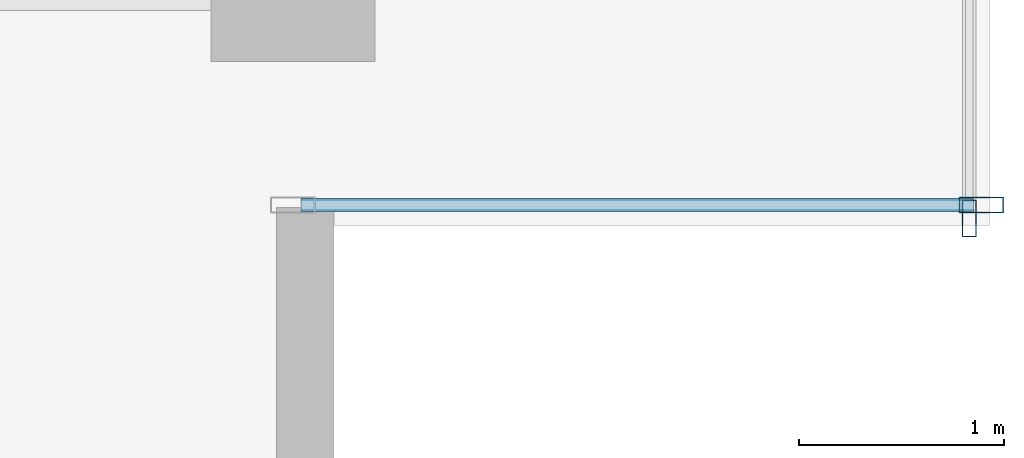
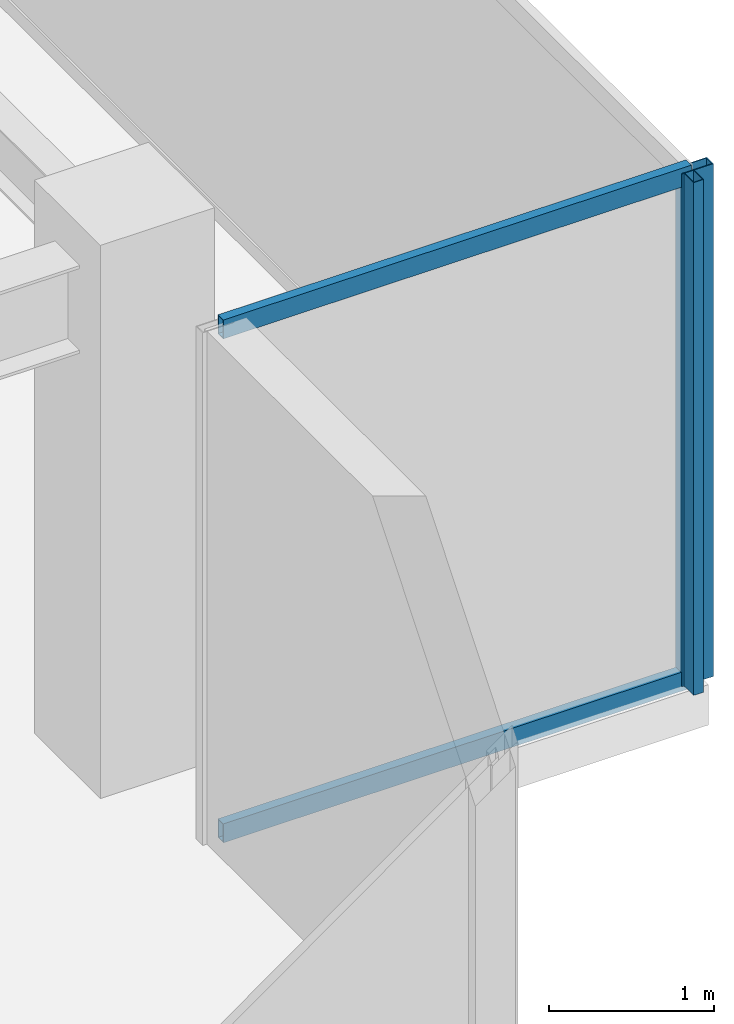
# One storey, part 22 of 33: 4 members, 2 elements without a shape of their own.
"""IFC4 building model written with IfcOpenShell, lengths in metres."""

from ifc_helpers import new_model, si_unit, direction, frame, origin, origin_2d, place, context, subcontext, project, spatial, hollow_rectangle, extrude, source, transform, mapped, material, layer, layer_set, material_profile, profile_set, type_object, type_shapes, element, aggregate, save


model = new_model("IFC4")

# Units and contexts
model_context = context("Model", 3, precision=1e-05, world=origin(), true_north=direction((0.0, 1.0)))
body_context = subcontext(model_context, "Body", "Model", "MODEL_VIEW")
ifc_project = project(units=[si_unit("LENGTHUNIT", "METRE"), si_unit("AREAUNIT", "SQUARE_METRE"), si_unit("VOLUMEUNIT", "CUBIC_METRE"), si_unit("PLANEANGLEUNIT", "RADIAN"), si_unit("MASSUNIT", "GRAM", prefix="KILO")], contexts=[model_context])

# Site, building, storey
site_placement = place(None, origin())
site = spatial("IfcSite", under=ifc_project, at=site_placement, CompositionType="ELEMENT")
building_placement = place(site_placement, origin())
building = spatial("IfcBuilding", under=site, at=building_placement, Name="Haelvirn Gate Laboratories", CompositionType="ELEMENT")
storey_placement = place(building_placement, frame((0.0, 0.0, 238.300048828125)))
storey = spatial("IfcBuildingStorey", under=building, at=storey_placement, Name="L57", CompositionType="ELEMENT", Elevation=238.300048828125)

# Curtain wall, members
ifc_material_1 = material(Name="Anodised bronze unitised aluminium & triple low-E glass", Category="aluminium")
ifc_layer_1 = layer(ifc_material_1, 0.181884765625, Name="CW-SYS-5")
ifc_layer_set_1 = layer_set([ifc_layer_1], Name="Anodised bronze unitised aluminium & triple low-E glass")
curtain_wall_type_1 = type_object("IfcCurtainWallType", Name="CW-SYS-5", PredefinedType="NOTDEFINED", material=ifc_layer_set_1)
curtain_wall_1_placement = place(storey_placement, origin())
curtain_wall_1 = element("IfcCurtainWall", 1, at=curtain_wall_1_placement, inside=storey, type_object=curtain_wall_type_1, Name="L57 Unitised Curtain Wall CW-L57-P0-E06-1", PredefinedType="NOTDEFINED")
ifc_material_2 = material(Name="Extruded aluminium 6063-T6 (anodised bronze)", Category="aluminium")
ifc_material_profile_1 = material_profile(ifc_material_2, hollow_rectangle(XDim=0.06494140625, YDim=0.139892578125, WallThickness=0.00390625, at=origin_2d()), Name="CWT-140x65x4")
ifc_profile_set_1 = profile_set([ifc_material_profile_1], Name="Extruded aluminium 6063-T6 (anodised bronze)")
member_type_1 = type_object("IfcMemberType", Name="CWT-T140", PredefinedType="USERDEFINED", material=ifc_profile_set_1)
shared_shape_1 = source(origin(), body_context, "Body", "SweptSolid", [
    extrude(hollow_rectangle(XDim=0.06494140625, YDim=0.139892578125, WallThickness=0.00390625, at=origin_2d()), origin(), (0.0, 0.0, 1.0), 3.280029296875),
])
type_shapes(member_type_1, [shared_shape_1])
member_1_placement = place(storey_placement, frame((67.43994140625, 5.89990234375, 0.032470703125), z_axis=(1.0, 0.0, 0.0), x_axis=(0.0, 1.0, 0.0)))
member_1 = element("IfcMember", 2, at=member_1_placement, type_object=member_type_1, Name="CW5 transom 1.1", ObjectType="TRANSOM", PredefinedType="USERDEFINED", context=body_context, shape_type="MappedRepresentation", body=[
    mapped(shared_shape_1, transform((0.0, 0.0, 0.0), scale=1.0)),
])
member_2_placement = place(storey_placement, frame((67.43994140625, 5.89990234375, 3.767333984375), z_axis=(1.0, 0.0, 0.0), x_axis=(0.0, 1.0, 0.0)))
member_2 = element("IfcMember", 3, at=member_2_placement, type_object=member_type_1, Name="CW5 transom 1.2", ObjectType="TRANSOM", PredefinedType="USERDEFINED", context=body_context, shape_type="MappedRepresentation", body=[
    mapped(shared_shape_1, transform((0.0, 0.0, 0.0), scale=1.0)),
])

# Curtain wall, member
ifc_layer_2 = layer(ifc_material_1, 0.176025390625, Name="CW-SYS-4")
ifc_layer_set_2 = layer_set([ifc_layer_2], Name="Anodised bronze unitised aluminium & triple low-E glass")
curtain_wall_type_2 = type_object("IfcCurtainWallType", Name="CW-SYS-4", PredefinedType="NOTDEFINED", material=ifc_layer_set_2)
curtain_wall_2_placement = place(storey_placement, origin())
curtain_wall_2 = element("IfcCurtainWall", 4, at=curtain_wall_2_placement, inside=storey, type_object=curtain_wall_type_2, Name="L57 Unitised Curtain Wall CW-L57-P0-E07", PredefinedType="NOTDEFINED")
ifc_material_profile_2 = material_profile(ifc_material_2, hollow_rectangle(XDim=0.070068359375, YDim=0.179931640625, WallThickness=0.0048828125, at=origin_2d()), Name="CWM-180x70x5")
ifc_profile_set_2 = profile_set([ifc_material_profile_2], Name="Extruded aluminium 6063-T6 (anodised bronze)")
member_type_2 = type_object("IfcMemberType", Name="CWM-T180", PredefinedType="MULLION", material=ifc_profile_set_2)
shared_shape_2 = source(origin(), body_context, "Body", "SweptSolid", [
    extrude(hollow_rectangle(XDim=0.070068359375, YDim=0.179931640625, WallThickness=0.0048828125, at=origin_2d()), origin(), (0.0, 0.0, 1.0), 3.800048828125),
])
type_shapes(member_type_2, [shared_shape_2])
member_3_placement = place(storey_placement, frame((70.699951171875, 5.8349609375, 0.0), z_axis=(0.0, 0.0, 1.0), x_axis=(-1.0, 0.0, 0.0)))
member_3 = element("IfcMember", 5, at=member_3_placement, type_object=member_type_2, Name="CW4 mullion 1", PredefinedType="MULLION", context=body_context, shape_type="MappedRepresentation", body=[
    mapped(shared_shape_2, transform((0.0, 0.0, 0.0), scale=1.0)),
])
aggregate(curtain_wall_2, [member_3])

# Member
ifc_material_profile_3 = material_profile(ifc_material_2, hollow_rectangle(XDim=0.080078125, YDim=0.219970703125, WallThickness=0.006103515625, at=origin_2d()), Name="CWM-220x80x6")
ifc_profile_set_3 = profile_set([ifc_material_profile_3], Name="Extruded aluminium 6063-T6 (anodised bronze)")
member_type_3 = type_object("IfcMemberType", Name="CWM-T220", PredefinedType="MULLION", material=ifc_profile_set_3)
shared_shape_3 = source(origin(), body_context, "Body", "SweptSolid", [
    extrude(hollow_rectangle(XDim=0.080078125, YDim=0.219970703125, WallThickness=0.006103515625, at=origin_2d()), origin(), (0.0, 0.0, 1.0), 3.800048828125),
])
type_shapes(member_type_3, [shared_shape_3])
member_4_placement = place(storey_placement, frame((70.760009765625, 5.89990234375, 0.0), z_axis=(0.0, 0.0, 1.0), x_axis=(0.0, 1.0, 0.0)))
member_4 = element("IfcMember", 6, at=member_4_placement, type_object=member_type_3, Name="CW5 mullion 2", PredefinedType="MULLION", context=body_context, shape_type="MappedRepresentation", body=[
    mapped(shared_shape_3, transform((0.0, 0.0, 0.0), scale=1.0)),
])

aggregate(curtain_wall_1, [member_4, member_1, member_2])

save(model, "model.ifc")
